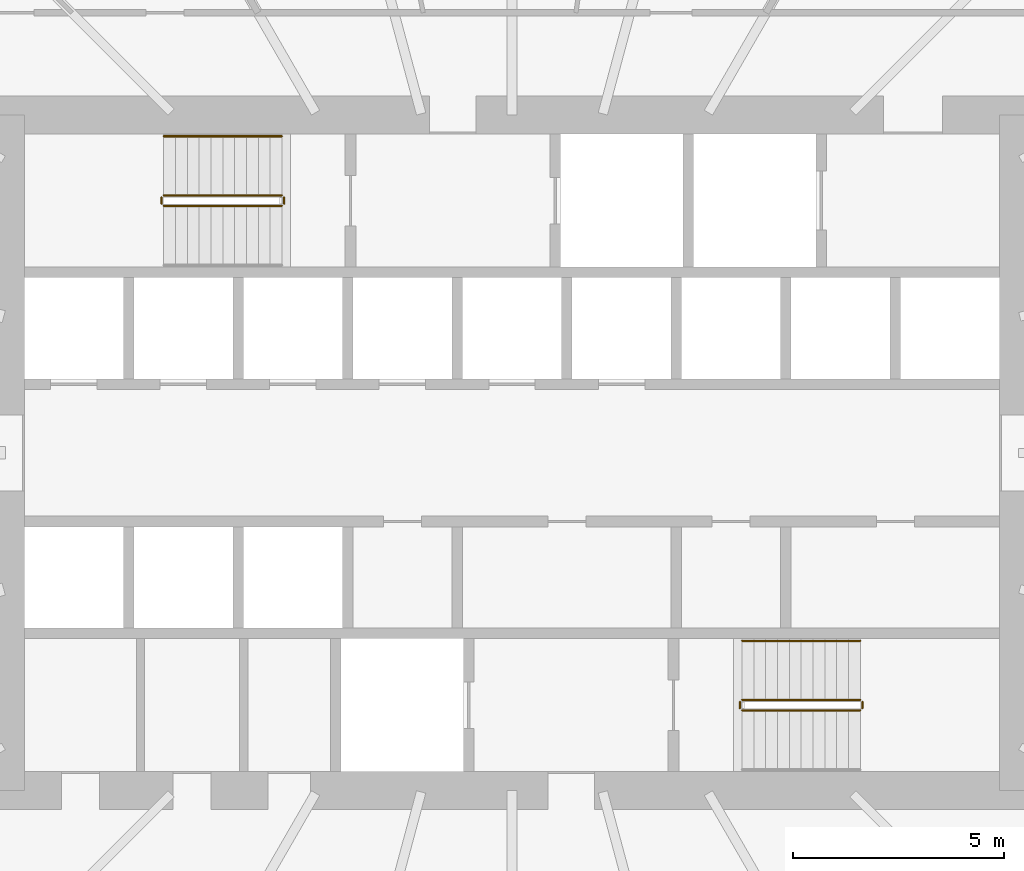
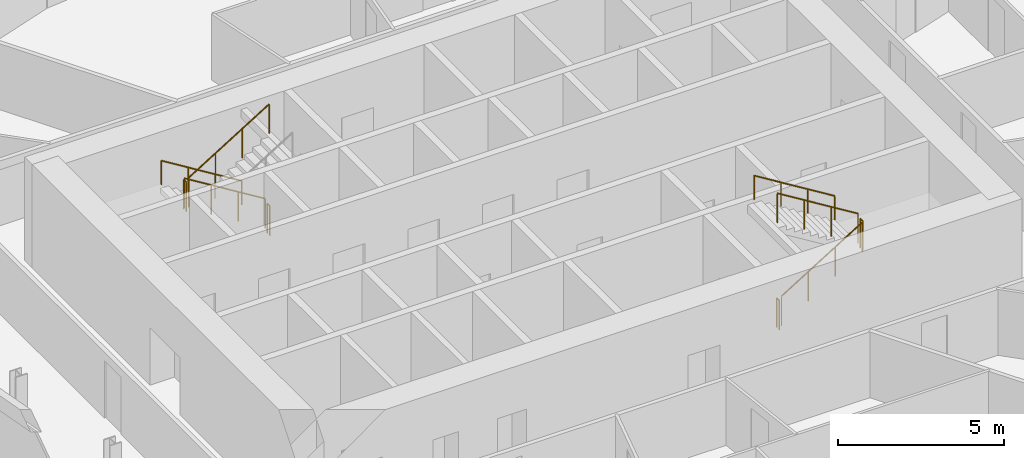
# One storey, part 34 of 38: 10 railings.
"""IFC4 building model written with IfcOpenShell, lengths in metres."""

from ifc_helpers import new_model, si_unit, direction, frame, origin, origin_2d, place, context, subcontext, project, spatial, circle, extrude, material, type_object, element, save


model = new_model("IFC4")

# Units and contexts
model_context = context("Model", 3, precision=1e-05, world=origin(), true_north=direction((0.0, 1.0)))
body_context = subcontext(model_context, "Body", "Model", "MODEL_VIEW")
ifc_project = project(units=[si_unit("LENGTHUNIT", "METRE"), si_unit("AREAUNIT", "SQUARE_METRE"), si_unit("VOLUMEUNIT", "CUBIC_METRE"), si_unit("PLANEANGLEUNIT", "RADIAN"), si_unit("MASSUNIT", "GRAM", prefix="KILO")], contexts=[model_context])

# Site, building, storey
site_placement = place(None, origin())
site = spatial("IfcSite", under=ifc_project, at=site_placement, CompositionType="ELEMENT")
building_placement = place(site_placement, origin())
building = spatial("IfcBuilding", under=site, at=building_placement, Name="Rimbun Link Towers", CompositionType="ELEMENT")
storey_placement = place(building_placement, frame((0.0, 0.0, 49.0)))
storey = spatial("IfcBuildingStorey", under=building, at=storey_placement, Name="L11", CompositionType="ELEMENT", Elevation=49.0)

# Railings
ifc_material_1 = material(Name="Stainless steel grade 316", Category="steel")
railing_type_1 = type_object("IfcRailingType", Name="Stair guard", PredefinedType="GUARDRAIL", material=ifc_material_1)
railing_1_placement = place(storey_placement, frame((-37.199951171875, 6.10009765625, 0.172607421875)))
element("IfcRailing", 1, at=railing_1_placement, inside=storey, type_object=railing_type_1, Name="L11 ST1 stair guard 1", PredefinedType="GUARDRAIL", context=body_context, shape_type="SweptSolid", body=[
    extrude(circle(Radius=0.02392578125, at=origin_2d()), frame((0.0, 0.0, 1.076171875), z_axis=(-0.851089632645, 0.0, 0.525020415988), x_axis=(0.0, -1.0, 0.0)), (0.0, 0.0, 1.0), 3.2900390625),
    extrude(circle(Radius=0.02099609375, at=origin_2d()), origin(), (0.0, 0.0, 1.0), 1.052001953125),
    extrude(circle(Radius=0.02099609375, at=origin_2d()), frame((-0.933349609375, 0.0, 0.57568359375)), (0.0, 0.0, 1.0), 1.052001953125),
    extrude(circle(Radius=0.02099609375, at=origin_2d()), frame((-1.86669921875, 0.0, 1.151611328125)), (0.0, 0.0, 1.0), 1.052001953125),
    extrude(circle(Radius=0.02099609375, at=origin_2d()), frame((-2.800048828125, 0.0, 1.727294921875)), (0.0, 0.0, 1.0), 1.052001953125),
])
railing_2_placement = place(storey_placement, frame((-40.050048828125, 6.050048828125, 1.89990234375)))
element("IfcRailing", 2, at=railing_2_placement, inside=storey, type_object=railing_type_1, Name="L11 ST1 stair guard 2", PredefinedType="GUARDRAIL", context=body_context, shape_type="SweptSolid", body=[
    extrude(circle(Radius=0.02392578125, at=origin_2d()), frame((0.0, 0.0, 1.076171875), z_axis=(0.0, -1.0, 0.0), x_axis=(1.0, 0.0, 0.0)), (0.0, 0.0, 1.0), 0.150146484375),
    extrude(circle(Radius=0.02099609375, at=origin_2d()), origin(), (0.0, 0.0, 1.0), 1.052001953125),
    extrude(circle(Radius=0.02099609375, at=origin_2d()), frame((0.0, -0.150146484375, 0.0)), (0.0, 0.0, 1.0), 1.052001953125),
])
railing_3_placement = place(storey_placement, frame((-40.0, 5.85009765625, 2.07275390625)))
element("IfcRailing", 3, at=railing_3_placement, inside=storey, type_object=railing_type_1, Name="L11 ST1 stair guard 3", PredefinedType="GUARDRAIL", context=body_context, shape_type="SweptSolid", body=[
    extrude(circle(Radius=0.02392578125, at=origin_2d()), frame((0.0, 0.0, 1.076171875), z_axis=(0.851089632645, 0.0, 0.525020415988), x_axis=(0.0, 1.0, 0.0)), (0.0, 0.0, 1.0), 3.2900390625),
    extrude(circle(Radius=0.02099609375, at=origin_2d()), origin(), (0.0, 0.0, 1.0), 1.052001953125),
    extrude(circle(Radius=0.02099609375, at=origin_2d()), frame((0.933349609375, 0.0, 0.57568359375)), (0.0, 0.0, 1.0), 1.052001953125),
    extrude(circle(Radius=0.02099609375, at=origin_2d()), frame((1.86669921875, 0.0, 1.151611328125)), (0.0, 0.0, 1.0), 1.052001953125),
    extrude(circle(Radius=0.02099609375, at=origin_2d()), frame((2.800048828125, 0.0, 1.727294921875)), (0.0, 0.0, 1.0), 1.052001953125),
])
railing_4_placement = place(storey_placement, frame((-37.14990234375, 6.050048828125, 0.0)))
element("IfcRailing", 4, at=railing_4_placement, inside=storey, type_object=railing_type_1, Name="L11 ST1 stair guard 4", PredefinedType="GUARDRAIL", context=body_context, shape_type="SweptSolid", body=[
    extrude(circle(Radius=0.02392578125, at=origin_2d()), frame((0.0, 0.0, 1.076171875), z_axis=(0.0, -1.0, 0.0), x_axis=(1.0, 0.0, 0.0)), (0.0, 0.0, 1.0), 0.150146484375),
    extrude(circle(Radius=0.02099609375, at=origin_2d()), origin(), (0.0, 0.0, 1.0), 1.052001953125),
    extrude(circle(Radius=0.02099609375, at=origin_2d()), frame((0.0, -0.150146484375, 0.0)), (0.0, 0.0, 1.0), 1.052001953125),
])
railing_5_placement = place(storey_placement, frame((-26.300048828125, -6.10009765625, 0.172607421875)))
element("IfcRailing", 5, at=railing_5_placement, inside=storey, type_object=railing_type_1, Name="L11 ST2 stair guard 1", PredefinedType="GUARDRAIL", context=body_context, shape_type="SweptSolid", body=[
    extrude(circle(Radius=0.02392578125, at=origin_2d()), frame((0.0, 0.0, 1.076171875), z_axis=(0.851089632645, 0.0, 0.525020415988), x_axis=(0.0, 1.0, 0.0)), (0.0, 0.0, 1.0), 3.2900390625),
    extrude(circle(Radius=0.02099609375, at=origin_2d()), origin(), (0.0, 0.0, 1.0), 1.052001953125),
    extrude(circle(Radius=0.02099609375, at=origin_2d()), frame((0.933349609375, 0.0, 0.57568359375)), (0.0, 0.0, 1.0), 1.052001953125),
    extrude(circle(Radius=0.02099609375, at=origin_2d()), frame((1.86669921875, 0.0, 1.151611328125)), (0.0, 0.0, 1.0), 1.052001953125),
    extrude(circle(Radius=0.02099609375, at=origin_2d()), frame((2.800048828125, 0.0, 1.727294921875)), (0.0, 0.0, 1.0), 1.052001953125),
])
railing_6_placement = place(storey_placement, frame((-23.449951171875, -6.050048828125, 1.89990234375)))
element("IfcRailing", 6, at=railing_6_placement, inside=storey, type_object=railing_type_1, Name="L11 ST2 stair guard 2", PredefinedType="GUARDRAIL", context=body_context, shape_type="SweptSolid", body=[
    extrude(circle(Radius=0.02392578125, at=origin_2d()), frame((0.0, 0.0, 1.076171875), z_axis=(0.0, 1.0, 0.0), x_axis=(-1.0, 0.0, 0.0)), (0.0, 0.0, 1.0), 0.150146484375),
    extrude(circle(Radius=0.02099609375, at=origin_2d()), origin(), (0.0, 0.0, 1.0), 1.052001953125),
    extrude(circle(Radius=0.02099609375, at=origin_2d()), frame((0.0, 0.150146484375, 0.0)), (0.0, 0.0, 1.0), 1.052001953125),
])
railing_7_placement = place(storey_placement, frame((-23.5, -5.85009765625, 2.07275390625)))
element("IfcRailing", 7, at=railing_7_placement, inside=storey, type_object=railing_type_1, Name="L11 ST2 stair guard 3", PredefinedType="GUARDRAIL", context=body_context, shape_type="SweptSolid", body=[
    extrude(circle(Radius=0.02392578125, at=origin_2d()), frame((0.0, 0.0, 1.076171875), z_axis=(-0.851089632645, 0.0, 0.525020415988), x_axis=(0.0, -1.0, 0.0)), (0.0, 0.0, 1.0), 3.2900390625),
    extrude(circle(Radius=0.02099609375, at=origin_2d()), origin(), (0.0, 0.0, 1.0), 1.052001953125),
    extrude(circle(Radius=0.02099609375, at=origin_2d()), frame((-0.933349609375, 0.0, 0.57568359375)), (0.0, 0.0, 1.0), 1.052001953125),
    extrude(circle(Radius=0.02099609375, at=origin_2d()), frame((-1.86669921875, 0.0, 1.151611328125)), (0.0, 0.0, 1.0), 1.052001953125),
    extrude(circle(Radius=0.02099609375, at=origin_2d()), frame((-2.800048828125, 0.0, 1.727294921875)), (0.0, 0.0, 1.0), 1.052001953125),
])
railing_8_placement = place(storey_placement, frame((-26.35009765625, -6.050048828125, 0.0)))
element("IfcRailing", 8, at=railing_8_placement, inside=storey, type_object=railing_type_1, Name="L11 ST2 stair guard 4", PredefinedType="GUARDRAIL", context=body_context, shape_type="SweptSolid", body=[
    extrude(circle(Radius=0.02392578125, at=origin_2d()), frame((0.0, 0.0, 1.076171875), z_axis=(0.0, 1.0, 0.0), x_axis=(-1.0, 0.0, 0.0)), (0.0, 0.0, 1.0), 0.150146484375),
    extrude(circle(Radius=0.02099609375, at=origin_2d()), origin(), (0.0, 0.0, 1.0), 1.052001953125),
    extrude(circle(Radius=0.02099609375, at=origin_2d()), frame((0.0, 0.150146484375, 0.0)), (0.0, 0.0, 1.0), 1.052001953125),
])
ifc_material_2 = material(Name="Stainless steel grade 316", Category="steel")
railing_type_2 = type_object("IfcRailingType", Name="Stair handrail", PredefinedType="HANDRAIL", material=ifc_material_2)
for number, where, name in (
    (9, (-37.199951171875, 7.5, 0.172607421875), "L11 ST1 stair handrail 1"),
    (10, (-23.5, -4.449951171875, 2.07275390625), "L11 ST2 stair handrail 2"),
):
    element("IfcRailing", number, at=place(storey_placement, frame(where)), inside=storey, type_object=railing_type_2, Name=name, PredefinedType="HANDRAIL", context=body_context, shape_type="SweptSolid", body=[
        extrude(circle(Radius=0.02392578125, at=origin_2d()), frame((0.0, 0.0, 0.8759765625), z_axis=(-0.851089632645, 0.0, 0.525020415988), x_axis=(0.0, -1.0, 0.0)), (0.0, 0.0, 1.0), 3.2900390625),
        extrude(circle(Radius=0.02099609375, at=origin_2d()), origin(), (0.0, 0.0, 1.0), 0.851806640625),
        extrude(circle(Radius=0.02099609375, at=origin_2d()), frame((-0.933349609375, 0.0, 0.57568359375)), (0.0, 0.0, 1.0), 0.851806640625),
        extrude(circle(Radius=0.02099609375, at=origin_2d()), frame((-1.86669921875, 0.0, 1.151611328125)), (0.0, 0.0, 1.0), 0.851806640625),
        extrude(circle(Radius=0.02099609375, at=origin_2d()), frame((-2.800048828125, 0.0, 1.727294921875)), (0.0, 0.0, 1.0), 0.851806640625),
    ])

save(model, "model.ifc")
